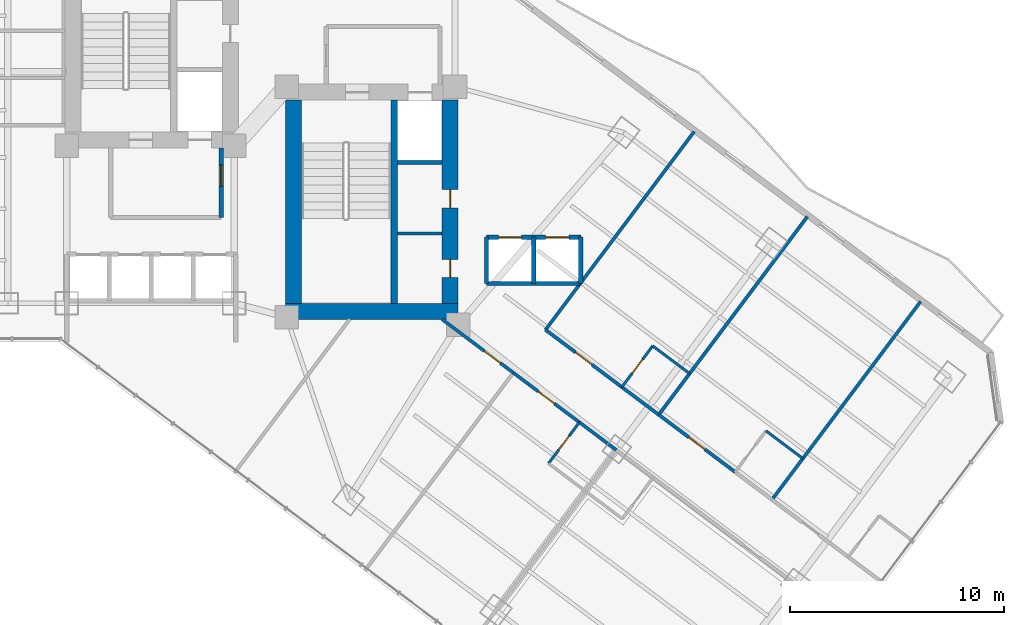
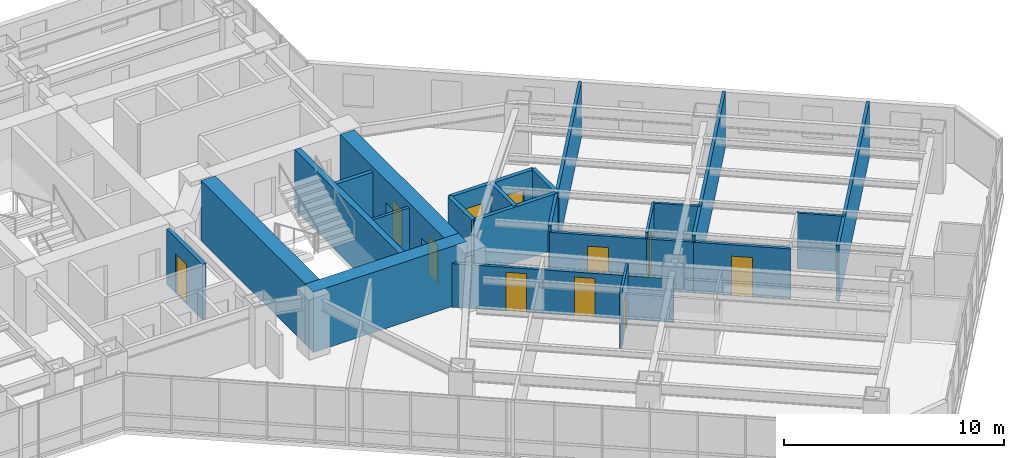
# One storey, part 29 of 39: 25 walls, 11 doors, 11 openings.
"""IFC4 building model written with IfcOpenShell, lengths in metres."""

from ifc_helpers import new_model, si_unit, direction, frame, frame_2d, origin, place, context, subcontext, project, spatial, rectangle, extrude, material, layer, layer_set, type_object, element, fill, save


model = new_model("IFC4")

# Units and contexts
model_context = context("Model", 3, precision=1e-05, world=origin(), true_north=direction((0.0, 1.0)))
body_context = subcontext(model_context, "Body", "Model", "MODEL_VIEW")
ifc_project = project(units=[si_unit("LENGTHUNIT", "METRE"), si_unit("AREAUNIT", "SQUARE_METRE"), si_unit("VOLUMEUNIT", "CUBIC_METRE"), si_unit("PLANEANGLEUNIT", "RADIAN"), si_unit("MASSUNIT", "GRAM", prefix="KILO")], contexts=[model_context])

# Site, building, storey
site_placement = place(None, origin())
site = spatial("IfcSite", under=ifc_project, at=site_placement, CompositionType="ELEMENT")
building_placement = place(site_placement, origin())
building = spatial("IfcBuilding", under=site, at=building_placement, Name="Hatsunagi Terrace Concourse", CompositionType="ELEMENT")
storey_placement = place(building_placement, frame((0.0, 0.0, 66.75)))
storey = spatial("IfcBuildingStorey", under=building, at=storey_placement, Name="L17", CompositionType="ELEMENT", Elevation=66.75)

# Walls
ifc_material_1 = material(Name="Concrete Fc60", Category="concrete")
ifc_layer_1 = layer(ifc_material_1, 0.75)
ifc_layer_set_1 = layer_set([ifc_layer_1], Name="CoreShearWall_Fc60_750")
wall_type_1 = type_object("IfcWallType", Name="CoreShearWall_Fc60_750", PredefinedType="SHEAR", material=ifc_layer_set_1)
wall_1_placement = place(storey_placement, frame((35.739990234375, 24.81494140625, 0.0), z_axis=(0.0, 0.0, 1.0), x_axis=(1.0, 0.0, 0.0)))
element("IfcWall", 1, at=wall_1_placement, inside=storey, type_object=wall_type_1, Name="Core B Shear Wall S L17", PredefinedType="SHEAR", context=body_context, shape_type="SweptSolid", body=[
    extrude(rectangle(XDim=8.06005859375, YDim=0.75, at=frame_2d((4.030029296875, 0.0))), origin(), (0.0, 0.0, 1.0), 3.35009765625),
])
wall_2_placement = place(storey_placement, frame((36.114990234375, 25.18994140625, 0.0), z_axis=(0.0, 0.0, 1.0), x_axis=(0.0, 1.0, 0.0)))
element("IfcWall", 2, at=wall_2_placement, inside=storey, type_object=wall_type_1, Name="Core B Shear Wall W L17", PredefinedType="SHEAR", context=body_context, shape_type="SweptSolid", body=[
    extrude(rectangle(XDim=9.47998046875, YDim=0.75, at=frame_2d((4.739990234375, 0.0))), origin(), (0.0, 0.0, 1.0), 3.35009765625),
])

# Wall, openings, doors
wall_3_placement = place(storey_placement, frame((43.425048828125, 25.18994140625, 0.0), z_axis=(0.0, 0.0, 1.0), x_axis=(0.0, 1.0, 0.0)))
wall_3 = element("IfcWall", 3, at=wall_3_placement, inside=storey, type_object=wall_type_1, Name="Core B Shear Wall E L17", PredefinedType="SHEAR", context=body_context, shape_type="SweptSolid", body=[
    extrude(rectangle(XDim=9.47998046875, YDim=0.75, at=frame_2d((4.739990234375, 0.0))), origin(), (0.0, 0.0, 1.0), 3.35009765625),
])
opening_1_placement = place(wall_3_placement, frame((1.2099609375, 0.0, 0.0)))
opening_1 = element("IfcOpeningElement", 4, at=opening_1_placement, cuts=wall_3, Name="Opening DR-085", PredefinedType="OPENING", context=body_context, shape_type="SweptSolid", body=[
    extrude(rectangle(XDim=0.85009765625, YDim=2.080078125, at=frame_2d((0.425048828125, 1.0400390625))), frame((0.0, 0.385009765625, 0.0), z_axis=(0.0, -1.0, 0.0), x_axis=(1.0, 0.0, 0.0)), (0.0, 0.0, 1.0), 0.77001953125),
])
opening_2_placement = place(wall_3_placement, frame((4.4599609375, 0.0, 0.0)))
opening_2 = element("IfcOpeningElement", 5, at=opening_2_placement, cuts=wall_3, Name="Opening DR-085", PredefinedType="OPENING", context=body_context, shape_type="SweptSolid", body=[
    extrude(rectangle(XDim=0.85009765625, YDim=2.080078125, at=frame_2d((0.425048828125, 1.0400390625))), frame((0.0, 0.385009765625, 0.0), z_axis=(0.0, -1.0, 0.0), x_axis=(1.0, 0.0, 0.0)), (0.0, 0.0, 1.0), 0.77001953125),
])
ifc_material_2 = material(Name="Painted steel", Category="steel")
door_type_1 = type_object("IfcDoorType", Name="RiserAccessDoor_EI60_850", OperationType="NOTDEFINED", PredefinedType="DOOR", material=ifc_material_2)
door_1_placement = place(opening_1_placement, origin())
door_1 = element("IfcDoor", 6, at=door_1_placement, inside=storey, type_object=door_type_1, Name="Core B Riser Door L17-1", OperationType="SINGLE_SWING_RIGHT", OverallHeight=2.080078125, OverallWidth=0.85009765625, PredefinedType="DOOR", context=body_context, shape_type="SweptSolid", body=[
    extrude(rectangle(XDim=0.85009765625, YDim=2.080078125, at=frame_2d((0.425048828125, 1.0400390625))), frame((0.0, 0.02490234375, 0.0), z_axis=(0.0, -1.0, 0.0), x_axis=(1.0, 0.0, 0.0)), (0.0, 0.0, 1.0), 0.050048828125),
])
fill(opening_1, door_1)
door_2_placement = place(opening_2_placement, origin())
door_2 = element("IfcDoor", 7, at=door_2_placement, inside=storey, type_object=door_type_1, Name="Core B Riser Door L17-2", OperationType="SINGLE_SWING_RIGHT", OverallHeight=2.080078125, OverallWidth=0.85009765625, PredefinedType="DOOR", context=body_context, shape_type="SweptSolid", body=[
    extrude(rectangle(XDim=0.85009765625, YDim=2.080078125, at=frame_2d((0.425048828125, 1.0400390625))), frame((0.0, 0.02490234375, 0.0), z_axis=(0.0, -1.0, 0.0), x_axis=(1.0, 0.0, 0.0)), (0.0, 0.0, 1.0), 0.050048828125),
])
fill(opening_2, door_2)

# Wall
ifc_material_3 = material(Name="Concrete Fc48", Category="concrete")
ifc_layer_2 = layer(ifc_material_3, 0.300048828125)
ifc_layer_set_2 = layer_set([ifc_layer_2], Name="CoreStairDivider_Fc48_300")
wall_type_2 = type_object("IfcWallType", Name="CoreStairDivider_Fc48_300", PredefinedType="SHEAR", material=ifc_layer_set_2)
wall_4_placement = place(storey_placement, frame((40.81005859375, 25.18994140625, 0.0), z_axis=(0.0, 0.0, 1.0), x_axis=(0.0, 1.0, 0.0)))
element("IfcWall", 8, at=wall_4_placement, inside=storey, type_object=wall_type_2, Name="Core B Shear Wall D L17", PredefinedType="SHEAR", context=body_context, shape_type="SweptSolid", body=[
    extrude(rectangle(XDim=9.47998046875, YDim=0.300048828125, at=frame_2d((4.739990234375, 0.0))), origin(), (0.0, 0.0, 1.0), 3.35009765625),
])

# Wall, opening, door
ifc_material_4 = material(Name="Acoustic mineral board", Category="gypsum")
ifc_layer_3 = layer(ifc_material_4, 0.1201171875)
ifc_layer_set_3 = layer_set([ifc_layer_3], Name="PartitionWall_EI30_120")
wall_type_3 = type_object("IfcWallType", Name="PartitionWall_EI30_120", PredefinedType="PARTITIONING", material=ifc_layer_set_3)
wall_5_placement = place(storey_placement, frame((51.429931640625, 21.2900390625, 0.0), z_axis=(0.0, 0.0, 1.0), x_axis=(0.600065100855, 0.79995117022, 0.0)))
wall_5 = element("IfcWall", 9, at=wall_5_placement, inside=storey, type_object=wall_type_3, Name="Interior Partition IW-L17-068", PredefinedType="PARTITIONING", context=body_context, shape_type="SweptSolid", body=[
    extrude(rectangle(XDim=2.400146484375, YDim=0.1201171875, at=frame_2d((1.2001953125, 0.0))), origin(), (0.0, 0.0, 1.0), 3.090087890625),
])
opening_3_placement = place(wall_5_placement, frame((0.800048828125, 0.0, 0.0)))
opening_3 = element("IfcOpeningElement", 10, at=opening_3_placement, cuts=wall_5, Name="Opening DR-080", PredefinedType="OPENING", context=body_context, shape_type="SweptSolid", body=[
    extrude(rectangle(XDim=0.800048828125, YDim=2.06005859375, at=frame_2d((0.39990234375, 1.030029296875))), frame((0.0, 0.070068359375, 0.0), z_axis=(0.0, -1.0, 0.0), x_axis=(1.0, 0.0, 0.0)), (0.0, 0.0, 1.0), 0.14013671875),
])
ifc_material_5 = material(Name="Hardwood timber", Category="wood")
door_type_2 = type_object("IfcDoorType", Name="BathroomDoor_800", OperationType="NOTDEFINED", PredefinedType="DOOR", material=ifc_material_5)
door_3_placement = place(opening_3_placement, origin())
door_3 = element("IfcDoor", 11, at=door_3_placement, inside=storey, type_object=door_type_2, Name="En-Suite Bathroom L17-SENE1 Door", OperationType="SINGLE_SWING_LEFT", OverallHeight=2.06005859375, OverallWidth=0.800048828125, PredefinedType="DOOR", context=body_context, shape_type="SweptSolid", body=[
    extrude(rectangle(XDim=0.800048828125, YDim=2.06005859375, at=frame_2d((0.39990234375, 1.030029296875))), frame((0.0, 0.02490234375, 0.0), z_axis=(0.0, -1.0, 0.0), x_axis=(1.0, 0.0, 0.0)), (0.0, 0.0, 1.0), 0.050048828125),
])
fill(opening_3, door_3)

# Walls
wall_6_placement = place(storey_placement, frame((52.8701171875, 23.2099609375, 0.0), z_axis=(0.0, 0.0, 1.0), x_axis=(0.79998637334, -0.60001816845, 0.0)))
element("IfcWall", 12, at=wall_6_placement, inside=storey, type_object=wall_type_3, Name="Interior Partition IW-L17-069", PredefinedType="PARTITIONING", context=body_context, shape_type="SweptSolid", body=[
    extrude(rectangle(XDim=2.14990234375, YDim=0.1201171875, at=frame_2d((1.074951171875, 0.0))), origin(), (0.0, 0.0, 1.0), 3.090087890625),
])
wall_7_placement = place(storey_placement, frame((58.14990234375, 19.25, 0.0), z_axis=(0.0, 0.0, 1.0), x_axis=(0.800027249606, -0.599963665473, 0.0)))
element("IfcWall", 13, at=wall_7_placement, inside=storey, type_object=wall_type_3, Name="Interior Partition IW-L17-075", PredefinedType="PARTITIONING", context=body_context, shape_type="SweptSolid", body=[
    extrude(rectangle(XDim=2.150146484375, YDim=0.1201171875, at=frame_2d((1.0751953125, 0.0))), origin(), (0.0, 0.0, 1.0), 3.090087890625),
])

# Wall, opening, door
wall_8_placement = place(storey_placement, frame((48.010009765625, 17.72998046875, 0.0), z_axis=(0.0, 0.0, 1.0), x_axis=(0.6, 0.8, 0.0)))
wall_8 = element("IfcWall", 14, at=wall_8_placement, inside=storey, type_object=wall_type_3, Name="Interior Partition IW-L17-083", PredefinedType="PARTITIONING", context=body_context, shape_type="SweptSolid", body=[
    extrude(rectangle(XDim=2.39990234375, YDim=0.1201171875, at=frame_2d((1.199951171875, 0.0))), origin(), (0.0, 0.0, 1.0), 3.090087890625),
])
opening_4_placement = place(wall_8_placement, frame((0.800048828125, 0.0, 0.0)))
opening_4 = element("IfcOpeningElement", 15, at=opening_4_placement, cuts=wall_8, Name="Opening DR-080", PredefinedType="OPENING", context=body_context, shape_type="SweptSolid", body=[
    extrude(rectangle(XDim=0.800048828125, YDim=2.06005859375, at=frame_2d((0.39990234375, 1.030029296875))), frame((0.0, 0.070068359375, 0.0), z_axis=(0.0, -1.0, 0.0), x_axis=(1.0, 0.0, 0.0)), (0.0, 0.0, 1.0), 0.14013671875),
])
door_4_placement = place(opening_4_placement, origin())
door_4 = element("IfcDoor", 16, at=door_4_placement, inside=storey, type_object=door_type_2, Name="En-Suite Bathroom L17-SESW1 Door", OperationType="SINGLE_SWING_LEFT", OverallHeight=2.06005859375, OverallWidth=0.800048828125, PredefinedType="DOOR", context=body_context, shape_type="SweptSolid", body=[
    extrude(rectangle(XDim=0.800048828125, YDim=2.06005859375, at=frame_2d((0.39990234375, 1.030029296875))), frame((0.0, 0.02490234375, 0.0), z_axis=(0.0, -1.0, 0.0), x_axis=(1.0, 0.0, 0.0)), (0.0, 0.0, 1.0), 0.050048828125),
])
fill(opening_4, door_4)

# Wall
ifc_material_6 = material(Name="Acoustic mineral board", Category="gypsum")
ifc_layer_4 = layer(ifc_material_6, 0.14990234375)
ifc_layer_set_4 = layer_set([ifc_layer_4], Name="PartitionWall_EI60_150")
wall_type_4 = type_object("IfcWallType", Name="PartitionWall_EI60_150", PredefinedType="PARTITIONING", material=ifc_layer_set_4)
wall_9_placement = place(storey_placement, frame((40.969970703125, 28.449951171875, 0.0), z_axis=(0.0, 0.0, 1.0), x_axis=(1.0, 0.0, 0.0)))
element("IfcWall", 17, at=wall_9_placement, inside=storey, type_object=wall_type_4, Name="Interior Partition IW-L17-004", PredefinedType="PARTITIONING", context=body_context, shape_type="SweptSolid", body=[
    extrude(rectangle(XDim=2.080078125, YDim=0.14990234375, at=frame_2d((1.0400390625, 0.0))), origin(), (0.0, 0.0, 1.0), 3.090087890625),
])

# Wall, opening, door
wall_10_placement = place(storey_placement, frame((43.037109375, 24.4599609375, 0.0), z_axis=(0.0, 0.0, 1.0), x_axis=(0.799971872363, -0.600037501685, 0.0)))
wall_10 = element("IfcWall", 18, at=wall_10_placement, inside=storey, type_object=wall_type_4, Name="Interior Partition IW-L17-041", PredefinedType="PARTITIONING", context=body_context, shape_type="SweptSolid", body=[
    extrude(rectangle(XDim=4.16650390625, YDim=0.14990234375, at=frame_2d((2.083251953125, 0.0))), origin(), (0.0, 0.0, 1.0), 2.425048828125),
])
opening_5_placement = place(wall_10_placement, frame((2.468017578125, 0.0, 0.0)))
opening_5 = element("IfcOpeningElement", 19, at=opening_5_placement, cuts=wall_10, Name="Opening DR-095", PredefinedType="OPENING", context=body_context, shape_type="SweptSolid", body=[
    extrude(rectangle(XDim=0.949951171875, YDim=2.14990234375, at=frame_2d((0.47509765625, 1.074951171875))), frame((0.0, 0.0849609375, 0.0), z_axis=(0.0, -1.0, 0.0), x_axis=(1.0, 0.0, 0.0)), (0.0, 0.0, 1.0), 0.169921875),
])
ifc_material_7 = material(Name="Hardwood timber", Category="wood")
door_type_3 = type_object("IfcDoorType", Name="InteriorSuiteDoor_EI30_950", OperationType="NOTDEFINED", PredefinedType="DOOR", material=ifc_material_7)
door_5_placement = place(opening_5_placement, origin())
door_5 = element("IfcDoor", 20, at=door_5_placement, inside=storey, type_object=door_type_3, Name="Meeting Room L17-HMTG Door", OperationType="SINGLE_SWING_RIGHT", OverallHeight=2.14990234375, OverallWidth=0.949951171875, PredefinedType="DOOR", context=body_context, shape_type="SweptSolid", body=[
    extrude(rectangle(XDim=0.949951171875, YDim=2.14990234375, at=frame_2d((0.47509765625, 1.074951171875))), frame((0.0, 0.02490234375, 0.0), z_axis=(0.0, -1.0, 0.0), x_axis=(1.0, 0.0, 0.0)), (0.0, 0.0, 1.0), 0.050048828125),
])
fill(opening_5, door_5)

wall_11_placement = place(storey_placement, frame((47.8701171875, 23.9599609375, 0.0), z_axis=(0.0, 0.0, 1.0), x_axis=(0.799993416095, -0.600008778439, 0.0)))
wall_11 = element("IfcWall", 21, at=wall_11_placement, inside=storey, type_object=wall_type_4, Name="Interior Partition IW-L17-066", PredefinedType="PARTITIONING", context=body_context, shape_type="SweptSolid", body=[
    extrude(rectangle(XDim=4.44970703125, YDim=0.14990234375, at=frame_2d((2.224853515625, 0.0))), origin(), (0.0, 0.0, 1.0), 2.77490234375),
])
opening_6_placement = place(wall_11_placement, frame((1.75, 0.0, 0.0)))
opening_6 = element("IfcOpeningElement", 22, at=opening_6_placement, cuts=wall_11, Name="Opening DR-095", PredefinedType="OPENING", context=body_context, shape_type="SweptSolid", body=[
    extrude(rectangle(XDim=0.949951171875, YDim=2.14990234375, at=frame_2d((0.47509765625, 1.074951171875))), frame((0.0, 0.0849609375, 0.0), z_axis=(0.0, -1.0, 0.0), x_axis=(1.0, 0.0, 0.0)), (0.0, 0.0, 1.0), 0.169921875),
])
door_6_placement = place(opening_6_placement, origin())
door_6 = element("IfcDoor", 23, at=door_6_placement, inside=storey, type_object=door_type_3, Name="Hotel Guest Room L17-SENE1 Door", OperationType="SINGLE_SWING_LEFT", OverallHeight=2.14990234375, OverallWidth=0.949951171875, PredefinedType="DOOR", context=body_context, shape_type="SweptSolid", body=[
    extrude(rectangle(XDim=0.949951171875, YDim=2.14990234375, at=frame_2d((0.47509765625, 1.074951171875))), frame((0.0, 0.02490234375, 0.0), z_axis=(0.0, -1.0, 0.0), x_axis=(1.0, 0.0, 0.0)), (0.0, 0.0, 1.0), 0.050048828125),
])
fill(opening_6, door_6)

# Walls
wall_12_placement = place(storey_placement, frame((51.429931640625, 21.2900390625, 0.0), z_axis=(0.0, 0.0, 1.0), x_axis=(0.79998637334, -0.60001816845, 0.0)))
element("IfcWall", 24, at=wall_12_placement, inside=storey, type_object=wall_type_4, Name="Interior Partition IW-L17-067", PredefinedType="PARTITIONING", context=body_context, shape_type="SweptSolid", body=[
    extrude(rectangle(XDim=2.14990234375, YDim=0.14990234375, at=frame_2d((1.074951171875, 0.0))), origin(), (0.0, 0.0, 1.0), 2.77490234375),
])
for number, where, z_axis, x_axis, name in (
    (25, (47.8701171875, 23.9599609375, 0.0), (0.0, 0.0, 1.0), (0.599996617946, 0.80000253653, 0.0), "Interior Partition IW-L17-070"),
    (26, (53.14990234375, 20.0, 0.0), (0.0, 0.0, 1.0), (0.60001014597, 0.799992390422, 0.0), "Interior Partition IW-L17-071"),
):
    element("IfcWall", number, at=place(storey_placement, frame(where, z_axis=z_axis, x_axis=x_axis)), inside=storey, type_object=wall_type_4, Name=name, PredefinedType="PARTITIONING", context=body_context, shape_type="SweptSolid", body=[
        extrude(rectangle(XDim=11.550048828125, YDim=0.14990234375, at=frame_2d((5.77490234375, 0.0))), origin(), (0.0, 0.0, 1.0), 3.090087890625),
    ])

# Wall, opening, door
wall_13_placement = place(storey_placement, frame((53.14990234375, 20.0, 0.0), z_axis=(0.0, 0.0, 1.0), x_axis=(0.800013166942, -0.599982443676, 0.0)))
wall_13 = element("IfcWall", 27, at=wall_13_placement, inside=storey, type_object=wall_type_4, Name="Interior Partition IW-L17-072", PredefinedType="PARTITIONING", context=body_context, shape_type="SweptSolid", body=[
    extrude(rectangle(XDim=4.449951171875, YDim=0.14990234375, at=frame_2d((2.22509765625, 0.0))), origin(), (0.0, 0.0, 1.0), 2.77490234375),
])
opening_7_placement = place(wall_13_placement, frame((1.75, 0.0, 0.0)))
opening_7 = element("IfcOpeningElement", 28, at=opening_7_placement, cuts=wall_13, Name="Opening DR-095", PredefinedType="OPENING", context=body_context, shape_type="SweptSolid", body=[
    extrude(rectangle(XDim=0.949951171875, YDim=2.14990234375, at=frame_2d((0.47509765625, 1.074951171875))), frame((0.0, 0.0849609375, 0.0), z_axis=(0.0, -1.0, 0.0), x_axis=(1.0, 0.0, 0.0)), (0.0, 0.0, 1.0), 0.169921875),
])
door_7_placement = place(opening_7_placement, origin())
door_7 = element("IfcDoor", 29, at=door_7_placement, inside=storey, type_object=door_type_3, Name="Hotel Guest Room L17-SENE2 Door", OperationType="SINGLE_SWING_LEFT", OverallHeight=2.14990234375, OverallWidth=0.949951171875, PredefinedType="DOOR", context=body_context, shape_type="SweptSolid", body=[
    extrude(rectangle(XDim=0.949951171875, YDim=2.14990234375, at=frame_2d((0.47509765625, 1.074951171875))), frame((0.0, 0.02490234375, 0.0), z_axis=(0.0, -1.0, 0.0), x_axis=(1.0, 0.0, 0.0)), (0.0, 0.0, 1.0), 0.050048828125),
])
fill(opening_7, door_7)

# Wall
wall_14_placement = place(storey_placement, frame((58.429931640625, 16.0400390625, 0.0), z_axis=(0.0, 0.0, 1.0), x_axis=(0.60001014597, 0.799992390422, 0.0)))
element("IfcWall", 30, at=wall_14_placement, inside=storey, type_object=wall_type_4, Name="Interior Partition IW-L17-076", PredefinedType="PARTITIONING", context=body_context, shape_type="SweptSolid", body=[
    extrude(rectangle(XDim=11.550048828125, YDim=0.14990234375, at=frame_2d((5.77490234375, 0.0))), origin(), (0.0, 0.0, 1.0), 3.090087890625),
])

# Wall, opening, door
wall_15_placement = place(storey_placement, frame((46.3701171875, 21.9599609375, 0.0), z_axis=(0.0, 0.0, 1.0), x_axis=(0.799977170108, -0.600030438649, 0.0)))
wall_15 = element("IfcWall", 31, at=wall_15_placement, inside=storey, type_object=wall_type_4, Name="Interior Partition IW-L17-081", PredefinedType="PARTITIONING", context=body_context, shape_type="SweptSolid", body=[
    extrude(rectangle(XDim=3.849853515625, YDim=0.14990234375, at=frame_2d((1.9248046875, 0.0))), origin(), (0.0, 0.0, 1.0), 2.425048828125),
])
opening_8_placement = place(wall_15_placement, frame((1.449951171875, 0.0, 0.0)))
opening_8 = element("IfcOpeningElement", 32, at=opening_8_placement, cuts=wall_15, Name="Opening DR-095", PredefinedType="OPENING", context=body_context, shape_type="SweptSolid", body=[
    extrude(rectangle(XDim=0.949951171875, YDim=2.14990234375, at=frame_2d((0.47509765625, 1.074951171875))), frame((0.0, 0.0849609375, 0.0), z_axis=(0.0, -1.0, 0.0), x_axis=(1.0, 0.0, 0.0)), (0.0, 0.0, 1.0), 0.169921875),
])
door_8_placement = place(opening_8_placement, origin())
door_8 = element("IfcDoor", 33, at=door_8_placement, inside=storey, type_object=door_type_3, Name="Hotel Guest Room L17-SESW1 Door", OperationType="SINGLE_SWING_RIGHT", OverallHeight=2.14990234375, OverallWidth=0.949951171875, PredefinedType="DOOR", context=body_context, shape_type="SweptSolid", body=[
    extrude(rectangle(XDim=0.949951171875, YDim=2.14990234375, at=frame_2d((0.47509765625, 1.074951171875))), frame((0.0, 0.02490234375, 0.0), z_axis=(0.0, -1.0, 0.0), x_axis=(1.0, 0.0, 0.0)), (0.0, 0.0, 1.0), 0.050048828125),
])
fill(opening_8, door_8)

# Walls
wall_16_placement = place(storey_placement, frame((49.449951171875, 19.64990234375, 0.0), z_axis=(0.0, 0.0, 1.0), x_axis=(0.800040880289, -0.59994548908, 0.0)))
element("IfcWall", 34, at=wall_16_placement, inside=storey, type_object=wall_type_4, Name="Interior Partition IW-L17-082", PredefinedType="PARTITIONING", context=body_context, shape_type="SweptSolid", body=[
    extrude(rectangle(XDim=2.14990234375, YDim=0.14990234375, at=frame_2d((1.074951171875, 0.0))), origin(), (0.0, 0.0, 1.0), 2.425048828125),
])
ifc_material_8 = material(Name="Acoustic mineral board", Category="gypsum")
ifc_layer_5 = layer(ifc_material_8, 0.199951171875)
ifc_layer_set_5 = layer_set([ifc_layer_5], Name="ShaftWall_EI120_200")
wall_type_5 = type_object("IfcWallType", Name="ShaftWall_EI120_200", PredefinedType="STANDARD", material=ifc_layer_set_5)
wall_17_placement = place(storey_placement, frame((40.969970703125, 31.760009765625, 0.0), z_axis=(0.0, 0.0, 1.0), x_axis=(1.0, 0.0, 0.0)))
element("IfcWall", 35, at=wall_17_placement, inside=storey, type_object=wall_type_5, Name="Interior Partition IW-L17-003", PredefinedType="STANDARD", context=body_context, shape_type="SweptSolid", body=[
    extrude(rectangle(XDim=2.080078125, YDim=0.199951171875, at=frame_2d((1.0400390625, 0.0))), origin(), (0.0, 0.0, 1.0), 3.090087890625),
])

# Wall, opening, door
wall_18_placement = place(storey_placement, frame((32.75, 29.199951171875, 0.0), z_axis=(0.0, 0.0, 1.0), x_axis=(0.0, 1.0, 0.0)))
wall_18 = element("IfcWall", 36, at=wall_18_placement, inside=storey, type_object=wall_type_5, Name="Interior Partition IW-L17-007", PredefinedType="STANDARD", context=body_context, shape_type="SweptSolid", body=[
    extrude(rectangle(XDim=3.239990234375, YDim=0.199951171875, at=frame_2d((1.6201171875, 0.0))), origin(), (0.0, 0.0, 1.0), 3.090087890625),
])
opening_9_placement = place(wall_18_placement, frame((1.449951171875, 0.0, 0.0)))
opening_9 = element("IfcOpeningElement", 37, at=opening_9_placement, cuts=wall_18, Name="Opening DR-100F", PredefinedType="OPENING", context=body_context, shape_type="SweptSolid", body=[
    extrude(rectangle(XDim=1.0, YDim=2.199951171875, at=frame_2d((0.5, 1.10009765625))), frame((0.0, 0.10986328125, 0.0), z_axis=(0.0, -1.0, 0.0), x_axis=(1.0, 0.0, 0.0)), (0.0, 0.0, 1.0), 0.219970703125),
])
ifc_material_9 = material(Name="Painted steel", Category="steel")
door_type_4 = type_object("IfcDoorType", Name="FireDoor_EI60_1000", OperationType="NOTDEFINED", PredefinedType="DOOR", material=ifc_material_9)
door_9_placement = place(opening_9_placement, origin())
door_9 = element("IfcDoor", 38, at=door_9_placement, inside=storey, type_object=door_type_4, Name="Firefighting Lobby A Door L17", OperationType="SINGLE_SWING_RIGHT", OverallHeight=2.199951171875, OverallWidth=1.0, PredefinedType="DOOR", context=body_context, shape_type="SweptSolid", body=[
    extrude(rectangle(XDim=1.0, YDim=2.199951171875, at=frame_2d((0.5, 1.10009765625))), frame((0.0, 0.02490234375, 0.0), z_axis=(0.0, -1.0, 0.0), x_axis=(1.0, 0.0, 0.0)), (0.0, 0.0, 1.0), 0.050048828125),
])
fill(opening_9, door_9)

# Walls
wall_19_placement = place(storey_placement, frame((45.1201171875, 26.1201171875, 0.0), z_axis=(0.0, 0.0, 1.0), x_axis=(1.0, 0.0, 0.0)))
element("IfcWall", 39, at=wall_19_placement, inside=storey, type_object=wall_type_5, Name="Interior Partition IW-L17-024", PredefinedType="STANDARD", context=body_context, shape_type="SweptSolid", body=[
    extrude(rectangle(XDim=4.39990234375, YDim=0.199951171875, at=frame_2d((2.199951171875, 0.0))), origin(), (0.0, 0.0, 1.0), 3.090087890625),
])
for number, where, z_axis, x_axis, name in (
    (40, (45.1201171875, 26.1201171875, 0.0), (0.0, 0.0, 1.0), (0.0, 1.0, 0.0), "Interior Partition IW-L17-025"),
    (41, (49.52001953125, 26.1201171875, 0.0), (0.0, 0.0, 1.0), (0.0, 1.0, 0.0), "Interior Partition IW-L17-026"),
    (42, (47.320068359375, 26.1201171875, 0.0), (0.0, 0.0, 1.0), (0.0, 1.0, 0.0), "Interior Partition IW-L17-027"),
):
    element("IfcWall", number, at=place(storey_placement, frame(where, z_axis=z_axis, x_axis=x_axis)), inside=storey, type_object=wall_type_5, Name=name, PredefinedType="STANDARD", context=body_context, shape_type="SweptSolid", body=[
        extrude(rectangle(XDim=2.159912109375, YDim=0.199951171875, at=frame_2d((1.080078125, 0.0))), origin(), (0.0, 0.0, 1.0), 3.090087890625),
    ])

# Wall, openings, doors
wall_20_placement = place(storey_placement, frame((45.1201171875, 28.280029296875, 0.0), z_axis=(0.0, 0.0, 1.0), x_axis=(1.0, 0.0, 0.0)))
wall_20 = element("IfcWall", 43, at=wall_20_placement, inside=storey, type_object=wall_type_5, Name="Interior Partition IW-L17-028", PredefinedType="STANDARD", context=body_context, shape_type="SweptSolid", body=[
    extrude(rectangle(XDim=4.39990234375, YDim=0.199951171875, at=frame_2d((2.199951171875, 0.0))), origin(), (0.0, 0.0, 1.0), 3.090087890625),
])
opening_10_placement = place(wall_20_placement, frame((0.56005859375, 0.0, 0.0)))
opening_10 = element("IfcOpeningElement", 44, at=opening_10_placement, cuts=wall_20, Name="Opening LD-03", PredefinedType="OPENING", context=body_context, shape_type="SweptSolid", body=[
    extrude(rectangle(XDim=1.080078125, YDim=2.14990234375, at=frame_2d((0.5400390625, 1.074951171875))), frame((0.0, 0.10986328125, 0.0), z_axis=(0.0, -1.0, 0.0), x_axis=(1.0, 0.0, 0.0)), (0.0, 0.0, 1.0), 0.219970703125),
])
opening_11_placement = place(wall_20_placement, frame((2.760009765625, 0.0, 0.0)))
opening_11 = element("IfcOpeningElement", 45, at=opening_11_placement, cuts=wall_20, Name="Opening LD-03", PredefinedType="OPENING", context=body_context, shape_type="SweptSolid", body=[
    extrude(rectangle(XDim=1.080078125, YDim=2.14990234375, at=frame_2d((0.5400390625, 1.074951171875))), frame((0.0, 0.10986328125, 0.0), z_axis=(0.0, -1.0, 0.0), x_axis=(1.0, 0.0, 0.0)), (0.0, 0.0, 1.0), 0.219970703125),
])
ifc_material_10 = material(Name="Stainless steel", Category="steel")
door_type_5 = type_object("IfcDoorType", Name="LiftLandingDoor_LD03", OperationType="SLIDING_TO_LEFT", PredefinedType="USERDEFINED", material=ifc_material_10)
door_10_placement = place(opening_10_placement, origin())
door_10 = element("IfcDoor", 46, at=door_10_placement, inside=storey, type_object=door_type_5, Name="Lift landing door PL-09 L17", ObjectType="SLIDING_LANDING_DOOR", OperationType="SLIDING_TO_LEFT", OverallHeight=2.14990234375, OverallWidth=1.080078125, PredefinedType="USERDEFINED", context=body_context, shape_type="SweptSolid", body=[
    extrude(rectangle(XDim=1.080078125, YDim=2.14990234375, at=frame_2d((0.5400390625, 1.074951171875))), frame((0.0, 0.02490234375, 0.0), z_axis=(0.0, -1.0, 0.0), x_axis=(1.0, 0.0, 0.0)), (0.0, 0.0, 1.0), 0.050048828125),
])
fill(opening_10, door_10)
door_11_placement = place(opening_11_placement, origin())
door_11 = element("IfcDoor", 47, at=door_11_placement, inside=storey, type_object=door_type_5, Name="Lift landing door PL-10 L17", ObjectType="SLIDING_LANDING_DOOR", OperationType="SLIDING_TO_LEFT", OverallHeight=2.14990234375, OverallWidth=1.080078125, PredefinedType="USERDEFINED", context=body_context, shape_type="SweptSolid", body=[
    extrude(rectangle(XDim=1.080078125, YDim=2.14990234375, at=frame_2d((0.5400390625, 1.074951171875))), frame((0.0, 0.02490234375, 0.0), z_axis=(0.0, -1.0, 0.0), x_axis=(1.0, 0.0, 0.0)), (0.0, 0.0, 1.0), 0.050048828125),
])
fill(opening_11, door_11)

save(model, "model.ifc")
